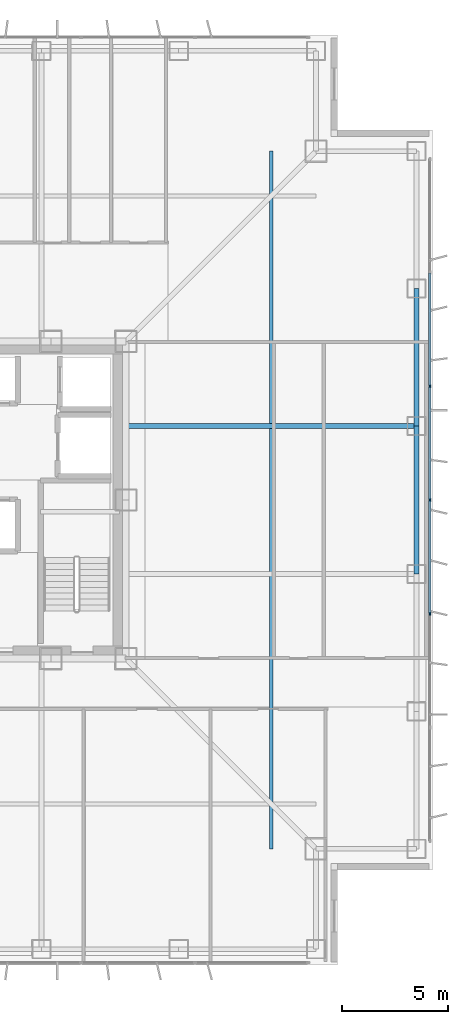
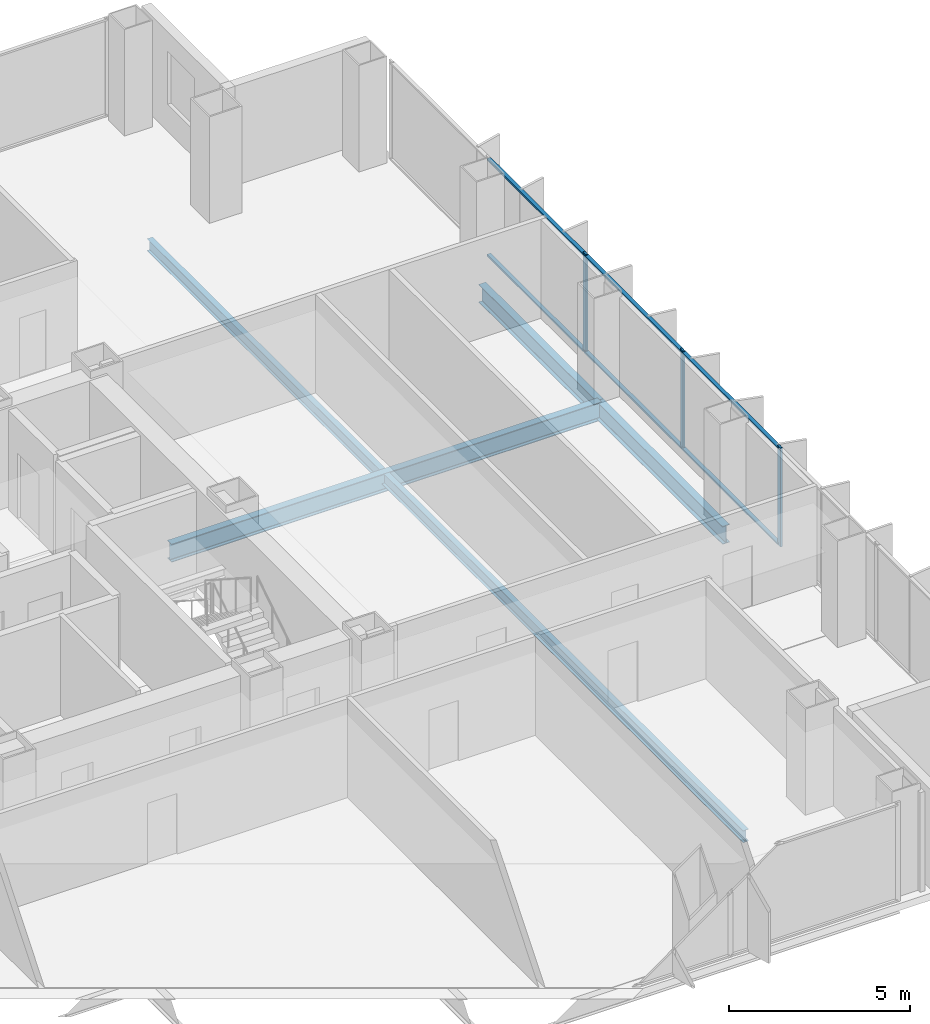
# One storey, part 8 of 17: 9 members, 4 beams, 1 element without a shape of its own.
"""IFC4 building model written with IfcOpenShell, lengths in metres."""

from ifc_helpers import new_model, si_unit, direction, frame, origin, origin_2d, place, context, subcontext, project, spatial, rectangle, i_section, extrude, material, layer, layer_set, material_profile, profile_set, type_object, element, aggregate, save


model = new_model("IFC4")

# Units and contexts
model_context = context("Model", 3, precision=1e-05, world=origin(), true_north=direction((0.0, 1.0)))
body_context = subcontext(model_context, "Body", "Model", "MODEL_VIEW")
ifc_project = project(units=[si_unit("LENGTHUNIT", "METRE"), si_unit("AREAUNIT", "SQUARE_METRE"), si_unit("VOLUMEUNIT", "CUBIC_METRE"), si_unit("PLANEANGLEUNIT", "RADIAN"), si_unit("MASSUNIT", "GRAM", prefix="KILO")], contexts=[model_context])

# Site, building, storey
site_placement = place(None, origin())
site = spatial("IfcSite", under=ifc_project, at=site_placement, CompositionType="ELEMENT")
building_placement = place(site_placement, origin())
building = spatial("IfcBuilding", under=site, at=building_placement, Name="Trevonay Congress Spire", CompositionType="ELEMENT")
storey_placement = place(building_placement, frame((0.0, 0.0, 126.39990234375)))
storey = spatial("IfcBuildingStorey", under=building, at=storey_placement, Name="L32", CompositionType="ELEMENT", Elevation=126.39990234375)

# Beams
ifc_material_1 = material(Name="Steel ASTM A572 Grade 50", Category="steel")
ifc_material_profile_1 = material_profile(ifc_material_1, i_section(OverallWidth=0.22998046875, OverallDepth=0.616943359375, WebThickness=0.01318359375, FlangeThickness=0.022216796875, FilletRadius=0.01611328125, at=origin_2d()), Name="W610x140")
ifc_profile_set_1 = profile_set([ifc_material_profile_1], Name="Steel ASTM A572 Grade 50")
beam_type_1 = type_object("IfcBeamType", Name="BM-GIRD-W610X140", PredefinedType="BEAM", material=ifc_profile_set_1)
beam_1_placement = place(storey_placement, frame((7.5, 3.5, -0.54833984375), z_axis=(1.0, 0.0, 0.0), x_axis=(0.0, 1.0, 0.0)))
element("IfcBeam", 1, at=beam_1_placement, inside=storey, type_object=beam_type_1, Name="L32 structural beam BM-L32-GE-P", PredefinedType="BEAM", context=body_context, shape_type="SweptSolid", body=[
    extrude(i_section(OverallWidth=0.22998046875, OverallDepth=0.616943359375, WebThickness=0.01318359375, FlangeThickness=0.022216796875, FilletRadius=0.01611328125, at=origin_2d()), origin(), (0.0, 0.0, 1.0), 13.75),
])
ifc_material_profile_2 = material_profile(ifc_material_1, i_section(OverallWidth=0.22802734375, OverallDepth=0.60791015625, WebThickness=0.01123046875, FlangeThickness=0.017333984375, FilletRadius=0.01611328125, at=origin_2d()), Name="W610x113")
ifc_profile_set_2 = profile_set([ifc_material_profile_2], Name="Steel ASTM A572 Grade 50")
beam_type_2 = type_object("IfcBeamType", Name="BM-RING-W610X113", PredefinedType="BEAM", material=ifc_profile_set_2)
beam_2_placement = place(storey_placement, frame((21.25, -3.5, -0.5439453125), z_axis=(0.0, 1.0, 0.0), x_axis=(-1.0, 0.0, 0.0)))
element("IfcBeam", 2, at=beam_2_placement, inside=storey, type_object=beam_type_2, Name="L32 structural beam BM-L32-PE3", PredefinedType="BEAM", context=body_context, shape_type="SweptSolid", body=[
    extrude(i_section(OverallWidth=0.22802734375, OverallDepth=0.60791015625, WebThickness=0.01123046875, FlangeThickness=0.017333984375, FilletRadius=0.01611328125, at=origin_2d()), origin(), (0.0, 0.0, 1.0), 7.0),
])
beam_3_placement = place(storey_placement, frame((21.25, 3.5, -0.5439453125), z_axis=(0.0, 1.0, 0.0), x_axis=(-1.0, 0.0, 0.0)))
element("IfcBeam", 3, at=beam_3_placement, inside=storey, type_object=beam_type_2, Name="L32 structural beam BM-L32-PE4", PredefinedType="BEAM", context=body_context, shape_type="SweptSolid", body=[
    extrude(i_section(OverallWidth=0.22802734375, OverallDepth=0.60791015625, WebThickness=0.01123046875, FlangeThickness=0.017333984375, FilletRadius=0.01611328125, at=origin_2d()), origin(), (0.0, 0.0, 1.0), 6.5),
])

# Curtain wall, members
ifc_material_2 = material(Name="Pale Anodised Aluminium EN AW-6063-T6", Category="aluminium")
ifc_layer = layer(ifc_material_2, 0.175048828125, Name="Pale Anodised Aluminium EN AW-6063-T6")
ifc_layer_set = layer_set([ifc_layer], Name="Pale Anodised Aluminium EN AW-6063-T6")
curtain_wall_type = type_object("IfcCurtainWallType", Name="CW-SYS03-CONGRESS-PALE-METAL", PredefinedType="NOTDEFINED", material=ifc_layer_set)
curtain_wall_placement = place(storey_placement, origin())
curtain_wall = element("IfcCurtainWall", 4, at=curtain_wall_placement, inside=storey, type_object=curtain_wall_type, Name="L32 E unitised curtain wall", PredefinedType="NOTDEFINED")
ifc_material_profile_3 = material_profile(ifc_material_2, rectangle(XDim=0.06005859375, YDim=0.159912109375, at=origin_2d()), Name="CW-MULLION-160-ALUMINIUM")
ifc_profile_set_3 = profile_set([ifc_material_profile_3], Name="Pale Anodised Aluminium EN AW-6063-T6")
member_type_1 = type_object("IfcMemberType", Name="CW-MULLION-160-ALUMINIUM", PredefinedType="MULLION", material=ifc_profile_set_3)
member_1_placement = place(storey_placement, frame((21.8798828125, -5.38330078125, 0.0), z_axis=(0.0, 0.0, 1.0), x_axis=(-1.0, 0.0, 0.0)))
member_1 = element("IfcMember", 5, at=member_1_placement, type_object=member_type_1, Name="CW03 mullion 3", PredefinedType="MULLION", context=body_context, shape_type="SweptSolid", body=[
    extrude(rectangle(XDim=0.06005859375, YDim=0.159912109375, at=origin_2d()), origin(), (0.0, 0.0, 1.0), 3.360107421875),
])
member_2_placement = place(storey_placement, frame((21.8798828125, 0.0, 0.0), z_axis=(0.0, 0.0, 1.0), x_axis=(-1.0, 0.0, 0.0)))
member_2 = element("IfcMember", 6, at=member_2_placement, type_object=member_type_1, Name="CW03 mullion 4", PredefinedType="MULLION", context=body_context, shape_type="SweptSolid", body=[
    extrude(rectangle(XDim=0.06005859375, YDim=0.159912109375, at=origin_2d()), origin(), (0.0, 0.0, 1.0), 3.360107421875),
])
member_3_placement = place(storey_placement, frame((21.8798828125, 5.38330078125, 0.0), z_axis=(0.0, 0.0, 1.0), x_axis=(-1.0, 0.0, 0.0)))
member_3 = element("IfcMember", 7, at=member_3_placement, type_object=member_type_1, Name="CW03 mullion 5", PredefinedType="MULLION", context=body_context, shape_type="SweptSolid", body=[
    extrude(rectangle(XDim=0.06005859375, YDim=0.159912109375, at=origin_2d()), origin(), (0.0, 0.0, 1.0), 3.360107421875),
])
ifc_material_profile_4 = material_profile(ifc_material_2, rectangle(XDim=0.1201171875, YDim=0.06005859375, at=origin_2d()), Name="CW-TRANSOM-120-ALUMINIUM")
ifc_profile_set_4 = profile_set([ifc_material_profile_4], Name="Pale Anodised Aluminium EN AW-6063-T6")
member_type_2 = type_object("IfcMemberType", Name="CW-TRANSOM-120-ALUMINIUM", PredefinedType="USERDEFINED", material=ifc_profile_set_4)
member_4_placement = place(storey_placement, frame((21.8798828125, -5.353271484375, 0.06005859375), z_axis=(0.0, 1.0, 0.0), x_axis=(-1.0, 0.0, 0.0)))
member_4 = element("IfcMember", 8, at=member_4_placement, type_object=member_type_2, Name="CW03 transom 3.1", ObjectType="TRANSOM", PredefinedType="USERDEFINED", context=body_context, shape_type="SweptSolid", body=[
    extrude(rectangle(XDim=0.1201171875, YDim=0.06005859375, at=origin_2d()), origin(), (0.0, 0.0, 1.0), 5.3232421875),
])
member_5_placement = place(storey_placement, frame((21.8798828125, -5.353271484375, 3.300048828125), z_axis=(0.0, 1.0, 0.0), x_axis=(-1.0, 0.0, 0.0)))
member_5 = element("IfcMember", 9, at=member_5_placement, type_object=member_type_2, Name="CW03 transom 3.2", ObjectType="TRANSOM", PredefinedType="USERDEFINED", context=body_context, shape_type="SweptSolid", body=[
    extrude(rectangle(XDim=0.1201171875, YDim=0.06005859375, at=origin_2d()), origin(), (0.0, 0.0, 1.0), 5.3232421875),
])
member_6_placement = place(storey_placement, frame((21.8798828125, 0.030029296875, 0.06005859375), z_axis=(0.0, 1.0, 0.0), x_axis=(-1.0, 0.0, 0.0)))
member_6 = element("IfcMember", 10, at=member_6_placement, type_object=member_type_2, Name="CW03 transom 4.1", ObjectType="TRANSOM", PredefinedType="USERDEFINED", context=body_context, shape_type="SweptSolid", body=[
    extrude(rectangle(XDim=0.1201171875, YDim=0.06005859375, at=origin_2d()), origin(), (0.0, 0.0, 1.0), 5.3232421875),
])
member_7_placement = place(storey_placement, frame((21.8798828125, 0.030029296875, 3.300048828125), z_axis=(0.0, 1.0, 0.0), x_axis=(-1.0, 0.0, 0.0)))
member_7 = element("IfcMember", 11, at=member_7_placement, type_object=member_type_2, Name="CW03 transom 4.2", ObjectType="TRANSOM", PredefinedType="USERDEFINED", context=body_context, shape_type="SweptSolid", body=[
    extrude(rectangle(XDim=0.1201171875, YDim=0.06005859375, at=origin_2d()), origin(), (0.0, 0.0, 1.0), 5.3232421875),
])
member_8_placement = place(storey_placement, frame((21.8798828125, 5.413330078125, 0.06005859375), z_axis=(0.0, 1.0, 0.0), x_axis=(-1.0, 0.0, 0.0)))
member_8 = element("IfcMember", 12, at=member_8_placement, type_object=member_type_2, Name="CW03 transom 5.1", ObjectType="TRANSOM", PredefinedType="USERDEFINED", context=body_context, shape_type="SweptSolid", body=[
    extrude(rectangle(XDim=0.1201171875, YDim=0.06005859375, at=origin_2d()), origin(), (0.0, 0.0, 1.0), 5.3232421875),
])
member_9_placement = place(storey_placement, frame((21.8798828125, 5.413330078125, 3.300048828125), z_axis=(0.0, 1.0, 0.0), x_axis=(-1.0, 0.0, 0.0)))
member_9 = element("IfcMember", 13, at=member_9_placement, type_object=member_type_2, Name="CW03 transom 5.2", ObjectType="TRANSOM", PredefinedType="USERDEFINED", context=body_context, shape_type="SweptSolid", body=[
    extrude(rectangle(XDim=0.1201171875, YDim=0.06005859375, at=origin_2d()), origin(), (0.0, 0.0, 1.0), 5.3232421875),
])
aggregate(curtain_wall, [member_1, member_2, member_3, member_4, member_5, member_6, member_7, member_8, member_9])

# Beam
ifc_material_profile_5 = material_profile(ifc_material_1, i_section(OverallWidth=0.177978515625, OverallDepth=0.406982421875, WebThickness=0.0078125, FlangeThickness=0.0126953125, FilletRadius=0.012939453125, at=origin_2d()), Name="W410x60")
ifc_profile_set_5 = profile_set([ifc_material_profile_5], Name="Steel ASTM A572 Grade 50")
beam_type_3 = type_object("IfcBeamType", Name="JS-COMP-W410X60", PredefinedType="JOIST", material=ifc_profile_set_5)
beam_4_placement = place(storey_placement, frame((14.375, -16.5, -0.443359375), z_axis=(0.0, 1.0, 0.0), x_axis=(-1.0, 0.0, 0.0)))
element("IfcBeam", 14, at=beam_4_placement, inside=storey, type_object=beam_type_3, Name="L32 structural beam JS-L32-RING-E", PredefinedType="JOIST", context=body_context, shape_type="SweptSolid", body=[
    extrude(i_section(OverallWidth=0.177978515625, OverallDepth=0.406982421875, WebThickness=0.0078125, FlangeThickness=0.0126953125, FilletRadius=0.012939453125, at=origin_2d()), origin(), (0.0, 0.0, 1.0), 33.0),
])

save(model, "model.ifc")
